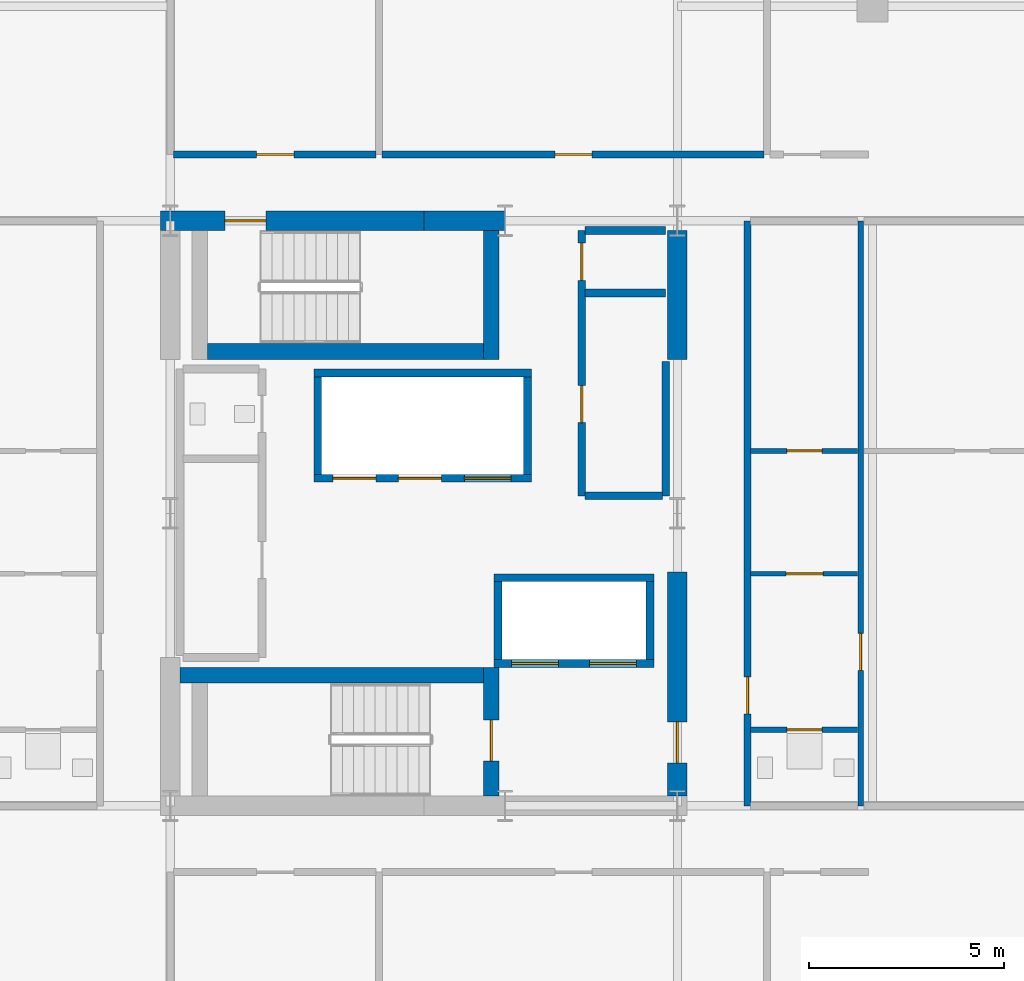
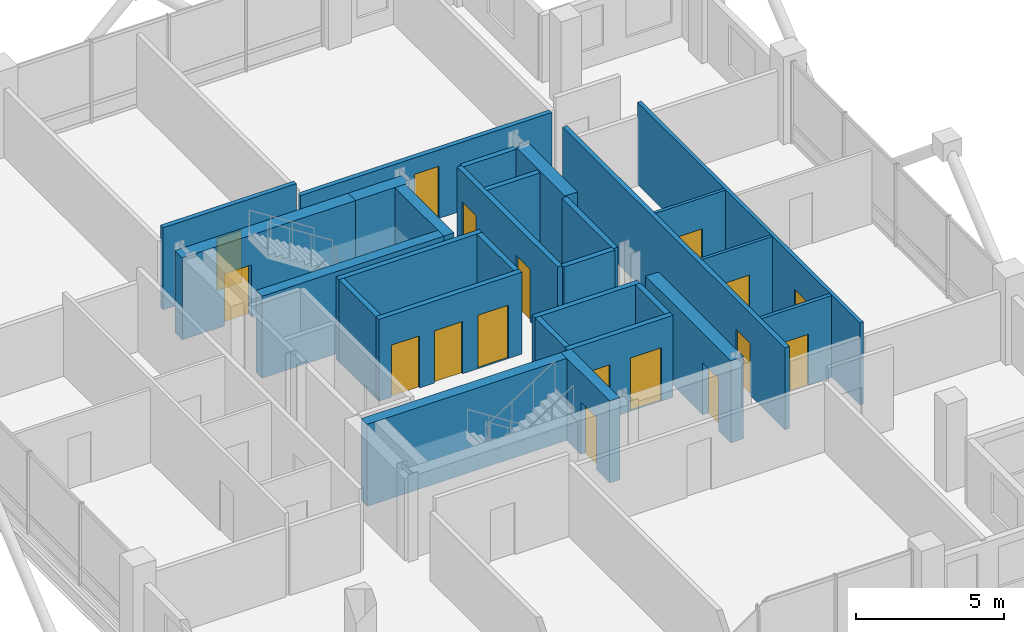
# One storey, part 19 of 23: 28 walls, 17 doors, 17 openings.
"""IFC4 building model written with IfcOpenShell, lengths in metres."""

from ifc_helpers import new_model, si_unit, direction, frame, frame_2d, origin, place, context, subcontext, project, spatial, rectangle, extrude, material, layer, layer_set, type_object, element, fill, save


model = new_model("IFC4")

# Units and contexts
model_context = context("Model", 3, precision=1e-05, world=origin(), true_north=direction((0.0, 1.0)))
body_context = subcontext(model_context, "Body", "Model", "MODEL_VIEW")
ifc_project = project(units=[si_unit("LENGTHUNIT", "METRE"), si_unit("AREAUNIT", "SQUARE_METRE"), si_unit("VOLUMEUNIT", "CUBIC_METRE"), si_unit("PLANEANGLEUNIT", "RADIAN"), si_unit("MASSUNIT", "GRAM", prefix="KILO")], contexts=[model_context])

# Site, building, storey
site_placement = place(None, origin())
site = spatial("IfcSite", under=ifc_project, at=site_placement, CompositionType="ELEMENT")
building_placement = place(site_placement, origin())
building = spatial("IfcBuilding", under=site, at=building_placement, Name="Barlavira Tower and Art Museum", CompositionType="ELEMENT")
storey_placement = place(building_placement, frame((0.0, 0.0, 290.699951171875)))
storey = spatial("IfcBuildingStorey", under=building, at=storey_placement, Name="L76", CompositionType="ELEMENT", Elevation=290.699951171875)

# Wall, opening, door
ifc_material_1 = material(Name="Gypsum acoustic stud partition", Category="gypsum")
ifc_layer_1 = layer(ifc_material_1, 0.1201171875, Name="Gypsum acoustic stud partition")
ifc_layer_set_1 = layer_set([ifc_layer_1], Name="Gypsum acoustic stud partition")
wall_type_1 = type_object("IfcWallType", Name="Apartment Internal Acoustic Partition 120", PredefinedType="PARTITIONING", material=ifc_layer_set_1)
wall_1_placement = place(storey_placement, frame((8.3798828125, -1.550048828125, 0.0), z_axis=(0.0, 0.0, 1.0), x_axis=(1.0, 0.0, 0.0)))
wall_1 = element("IfcWall", 1, at=wall_1_placement, inside=storey, type_object=wall_type_1, Name="L76 Partition Wall 26", PredefinedType="PARTITIONING", context=body_context, shape_type="SweptSolid", body=[
    extrude(rectangle(XDim=2.740234375, YDim=0.1201171875, at=frame_2d((1.3701171875, 0.0))), origin(), (0.0, 0.0, 1.0), 3.380126953125),
])
opening_1_placement = place(wall_1_placement, frame((0.905029296875, 0.0, 0.0)))
opening_1 = element("IfcOpeningElement", 2, at=opening_1_placement, cuts=wall_1, Name="Opening D-02", PredefinedType="OPENING", context=body_context, shape_type="SweptSolid", body=[
    extrude(rectangle(XDim=0.949951171875, YDim=2.10009765625, at=frame_2d((0.47509765625, 1.050048828125))), frame((0.0, 0.070068359375, 0.0), z_axis=(0.0, -1.0, 0.0), x_axis=(1.0, 0.0, 0.0)), (0.0, 0.0, 1.0), 0.14013671875),
])
ifc_material_2 = material(Name="Engineered coastal hardwood", Category="wood")
door_type_1 = type_object("IfcDoorType", Name="Living and Salon Glazed-Leaf Door 950x2100", OperationType="NOTDEFINED", PredefinedType="DOOR", material=ifc_material_2)
door_1_placement = place(opening_1_placement, origin())
door_1 = element("IfcDoor", 3, at=door_1_placement, inside=storey, type_object=door_type_1, Name="Apartment E1 Kitchen Door", OperationType="SINGLE_SWING_RIGHT", OverallHeight=2.10009765625, OverallWidth=0.949951171875, PredefinedType="DOOR", context=body_context, shape_type="SweptSolid", body=[
    extrude(rectangle(XDim=0.949951171875, YDim=2.10009765625, at=frame_2d((0.47509765625, 1.050048828125))), frame((0.0, 0.02490234375, 0.0), z_axis=(0.0, -1.0, 0.0), x_axis=(1.0, 0.0, 0.0)), (0.0, 0.0, 1.0), 0.050048828125),
])
fill(opening_1, door_1)

wall_2_placement = place(storey_placement, frame((8.3798828125, 1.60009765625, 0.0), z_axis=(0.0, 0.0, 1.0), x_axis=(1.0, 0.0, 0.0)))
wall_2 = element("IfcWall", 4, at=wall_2_placement, inside=storey, type_object=wall_type_1, Name="L76 Partition Wall 31", PredefinedType="PARTITIONING", context=body_context, shape_type="SweptSolid", body=[
    extrude(rectangle(XDim=2.740234375, YDim=0.1201171875, at=frame_2d((1.3701171875, 0.0))), origin(), (0.0, 0.0, 1.0), 3.380126953125),
])
opening_2_placement = place(wall_2_placement, frame((0.929931640625, 0.0, 0.0)))
opening_2 = element("IfcOpeningElement", 5, at=opening_2_placement, cuts=wall_2, Name="Opening D-01", PredefinedType="OPENING", context=body_context, shape_type="SweptSolid", body=[
    extrude(rectangle(XDim=0.89990234375, YDim=2.10009765625, at=frame_2d((0.449951171875, 1.050048828125))), frame((0.0, 0.070068359375, 0.0), z_axis=(0.0, -1.0, 0.0), x_axis=(1.0, 0.0, 0.0)), (0.0, 0.0, 1.0), 0.14013671875),
])
door_type_2 = type_object("IfcDoorType", Name="Internal Bedroom Timber Flush Door 900x2100", OperationType="NOTDEFINED", PredefinedType="DOOR", material=ifc_material_2)
door_2_placement = place(opening_2_placement, origin())
door_2 = element("IfcDoor", 6, at=door_2_placement, inside=storey, type_object=door_type_2, Name="Apartment E1 Walk-In Dressing Room Door", OperationType="SINGLE_SWING_LEFT", OverallHeight=2.10009765625, OverallWidth=0.89990234375, PredefinedType="DOOR", context=body_context, shape_type="SweptSolid", body=[
    extrude(rectangle(XDim=0.89990234375, YDim=2.10009765625, at=frame_2d((0.449951171875, 1.050048828125))), frame((0.0, 0.02490234375, 0.0), z_axis=(0.0, -1.0, 0.0), x_axis=(1.0, 0.0, 0.0)), (0.0, 0.0, 1.0), 0.050048828125),
])
fill(opening_2, door_2)

ifc_material_3 = material(Name="Concrete C60", Category="concrete")
ifc_layer_2 = layer(ifc_material_3, 0.5, Name="Concrete C60")
ifc_layer_set_2 = layer_set([ifc_layer_2], Name="Concrete C60")
wall_type_2 = type_object("IfcWallType", Name="Core Structural Shear Wall 500 Concrete C60", PredefinedType="SHEAR", material=ifc_layer_set_2)
wall_3_placement = place(storey_placement, frame((-6.75, 7.5, 0.0), z_axis=(0.0, 0.0, 1.0), x_axis=(1.0, 0.0, 0.0)))
wall_3 = element("IfcWall", 7, at=wall_3_placement, inside=storey, type_object=wall_type_2, Name="L76 Core Shear Wall CS-NW", PredefinedType="SHEAR", context=body_context, shape_type="SweptSolid", body=[
    extrude(rectangle(XDim=6.75, YDim=0.5, at=frame_2d((3.375, 0.0))), origin(), (0.0, 0.0, 1.0), 3.380126953125),
])
opening_3_placement = place(wall_3_placement, frame((1.64990234375, 0.0, 0.0)))
opening_3 = element("IfcOpeningElement", 8, at=opening_3_placement, cuts=wall_3, Name="Opening FD-90", PredefinedType="OPENING", context=body_context, shape_type="SweptSolid", body=[
    extrude(rectangle(XDim=1.050048828125, YDim=2.14990234375, at=frame_2d((0.52490234375, 1.074951171875))), frame((0.0, 0.260009765625, 0.0), z_axis=(0.0, -1.0, 0.0), x_axis=(1.0, 0.0, 0.0)), (0.0, 0.0, 1.0), 0.52001953125),
])
ifc_material_4 = material(Name="Brushed stainless steel", Category="steel")
door_type_3 = type_object("IfcDoorType", Name="Stair and Refuge Fire Door 1050x2150 FD90S", OperationType="NOTDEFINED", PredefinedType="DOOR", material=ifc_material_4)
door_3_placement = place(opening_3_placement, origin())
door_3 = element("IfcDoor", 9, at=door_3_placement, inside=storey, type_object=door_type_3, Name="L76 Stair ST-T2 Fire Door", OperationType="SINGLE_SWING_LEFT", OverallHeight=2.14990234375, OverallWidth=1.050048828125, PredefinedType="DOOR", context=body_context, shape_type="SweptSolid", body=[
    extrude(rectangle(XDim=1.050048828125, YDim=2.14990234375, at=frame_2d((0.52490234375, 1.074951171875))), frame((0.0, 0.02490234375, 0.0), z_axis=(0.0, -1.0, 0.0), x_axis=(1.0, 0.0, 0.0)), (0.0, 0.0, 1.0), 0.050048828125),
])
fill(opening_3, door_3)

# Wall
wall_4_placement = place(storey_placement, frame((0.0, 7.5, 0.0), z_axis=(0.0, 0.0, 1.0), x_axis=(1.0, 0.0, 0.0)))
element("IfcWall", 10, at=wall_4_placement, inside=storey, type_object=wall_type_2, Name="L76 Core Shear Wall CS-EN", PredefinedType="SHEAR", context=body_context, shape_type="SweptSolid", body=[
    extrude(rectangle(XDim=2.080078125, YDim=0.5, at=frame_2d((1.0400390625, 0.0))), origin(), (0.0, 0.0, 1.0), 3.380126953125),
])

# Wall, opening, door
wall_5_placement = place(storey_placement, frame((6.5, -7.25, 0.0), z_axis=(0.0, 0.0, 1.0), x_axis=(0.0, 1.0, 0.0)))
wall_5 = element("IfcWall", 11, at=wall_5_placement, inside=storey, type_object=wall_type_2, Name="L76 Core Shear Wall CS-E1", PredefinedType="SHEAR", context=body_context, shape_type="SweptSolid", body=[
    extrude(rectangle(XDim=5.75, YDim=0.5, at=frame_2d((2.875, 0.0))), origin(), (0.0, 0.0, 1.0), 3.380126953125),
])
opening_4_placement = place(wall_5_placement, frame((0.85009765625, 0.0, 0.0)))
opening_4 = element("IfcOpeningElement", 12, at=opening_4_placement, cuts=wall_5, Name="Opening FD-90", PredefinedType="OPENING", context=body_context, shape_type="SweptSolid", body=[
    extrude(rectangle(XDim=1.050048828125, YDim=2.14990234375, at=frame_2d((0.52490234375, 1.074951171875))), frame((0.0, 0.260009765625, 0.0), z_axis=(0.0, -1.0, 0.0), x_axis=(1.0, 0.0, 0.0)), (0.0, 0.0, 1.0), 0.52001953125),
])
door_4_placement = place(opening_4_placement, origin())
door_4 = element("IfcDoor", 13, at=door_4_placement, inside=storey, type_object=door_type_3, Name="L76 Firefighting Lobby Entry Fire Door", OperationType="SINGLE_SWING_LEFT", OverallHeight=2.14990234375, OverallWidth=1.050048828125, PredefinedType="DOOR", context=body_context, shape_type="SweptSolid", body=[
    extrude(rectangle(XDim=1.050048828125, YDim=2.14990234375, at=frame_2d((0.52490234375, 1.074951171875))), frame((0.0, 0.02490234375, 0.0), z_axis=(0.0, -1.0, 0.0), x_axis=(1.0, 0.0, 0.0)), (0.0, 0.0, 1.0), 0.050048828125),
])
fill(opening_4, door_4)

# Wall
wall_6_placement = place(storey_placement, frame((6.5, 3.949951171875, 0.0), z_axis=(0.0, 0.0, 1.0), x_axis=(0.0, 1.0, 0.0)))
element("IfcWall", 14, at=wall_6_placement, inside=storey, type_object=wall_type_2, Name="L76 Core Shear Wall CS-E2", PredefinedType="SHEAR", context=body_context, shape_type="SweptSolid", body=[
    extrude(rectangle(XDim=3.300048828125, YDim=0.5, at=frame_2d((1.64990234375, 0.0))), origin(), (0.0, 0.0, 1.0), 3.380126953125),
])

# Wall, openings, doors
ifc_material_5 = material(Name="Autoclaved aerated concrete masonry", Category="masonry")
ifc_layer_3 = layer(ifc_material_5, 0.199951171875, Name="Autoclaved aerated concrete masonry")
ifc_layer_set_3 = layer_set([ifc_layer_3], Name="Autoclaved aerated concrete masonry")
wall_type_3 = type_object("IfcWallType", Name="Fire Compartment and Shaft Wall 200", PredefinedType="SOLIDWALL", material=ifc_layer_set_3)
wall_7_placement = place(storey_placement, frame((-2.820068359375, 0.89990234375, 0.0), z_axis=(0.0, 0.0, 1.0), x_axis=(1.0, 0.0, 0.0)))
wall_7 = element("IfcWall", 15, at=wall_7_placement, inside=storey, type_object=wall_type_3, Name="L76 High-Rise & Service Lift Front Wall", PredefinedType="SOLIDWALL", context=body_context, shape_type="SweptSolid", body=[
    extrude(rectangle(XDim=5.580078125, YDim=0.199951171875, at=frame_2d((2.7900390625, 0.0))), origin(), (0.0, 0.0, 1.0), 3.380126953125),
])
opening_5_placement = place(wall_7_placement, frame((0.489990234375, 0.0, 0.0)))
opening_5 = element("IfcOpeningElement", 16, at=opening_5_placement, cuts=wall_7, Name="Opening LD-P", PredefinedType="OPENING", context=body_context, shape_type="SweptSolid", body=[
    extrude(rectangle(XDim=1.10009765625, YDim=2.14990234375, at=frame_2d((0.550048828125, 1.074951171875))), frame((0.0, 0.10986328125, 0.0), z_axis=(0.0, -1.0, 0.0), x_axis=(1.0, 0.0, 0.0)), (0.0, 0.0, 1.0), 0.219970703125),
])
opening_6_placement = place(wall_7_placement, frame((2.169921875, 0.0, 0.0)))
opening_6 = element("IfcOpeningElement", 17, at=opening_6_placement, cuts=wall_7, Name="Opening LD-P", PredefinedType="OPENING", context=body_context, shape_type="SweptSolid", body=[
    extrude(rectangle(XDim=1.10009765625, YDim=2.14990234375, at=frame_2d((0.550048828125, 1.074951171875))), frame((0.0, 0.10986328125, 0.0), z_axis=(0.0, -1.0, 0.0), x_axis=(1.0, 0.0, 0.0)), (0.0, 0.0, 1.0), 0.219970703125),
])
opening_7_placement = place(wall_7_placement, frame((3.860107421875, 0.0, 0.0)))
opening_7 = element("IfcOpeningElement", 18, at=opening_7_placement, cuts=wall_7, Name="Opening LD-F", PredefinedType="OPENING", context=body_context, shape_type="SweptSolid", body=[
    extrude(rectangle(XDim=1.199951171875, YDim=2.199951171875, at=frame_2d((0.60009765625, 1.10009765625))), frame((0.0, 0.10986328125, 0.0), z_axis=(0.0, -1.0, 0.0), x_axis=(1.0, 0.0, 0.0)), (0.0, 0.0, 1.0), 0.219970703125),
])
door_type_4 = type_object("IfcDoorType", Name="Firefighting and Service Lift Sliding Door 1200x2200 FD120", OperationType="NOTDEFINED", PredefinedType="DOOR", material=ifc_material_4)
door_5_placement = place(opening_7_placement, origin())
door_5 = element("IfcDoor", 19, at=door_5_placement, inside=storey, type_object=door_type_4, Name="L76 Stretcher Service Lift SL1 Sliding Door", OperationType="DOUBLE_DOOR_SLIDING", OverallHeight=2.199951171875, OverallWidth=1.199951171875, PredefinedType="DOOR", context=body_context, shape_type="SweptSolid", body=[
    extrude(rectangle(XDim=1.199951171875, YDim=2.199951171875, at=frame_2d((0.60009765625, 1.10009765625))), frame((0.0, 0.02490234375, 0.0), z_axis=(0.0, -1.0, 0.0), x_axis=(1.0, 0.0, 0.0)), (0.0, 0.0, 1.0), 0.050048828125),
])
fill(opening_7, door_5)
door_type_5 = type_object("IfcDoorType", Name="Passenger Lift Sliding Landing Door 1100x2150 FD60", OperationType="NOTDEFINED", PredefinedType="DOOR", material=ifc_material_4)
door_6_placement = place(opening_5_placement, origin())
door_6 = element("IfcDoor", 20, at=door_6_placement, inside=storey, type_object=door_type_5, Name="L76 Lift PH1 Sliding Landing Door", OperationType="DOUBLE_DOOR_SLIDING", OverallHeight=2.14990234375, OverallWidth=1.10009765625, PredefinedType="DOOR", context=body_context, shape_type="SweptSolid", body=[
    extrude(rectangle(XDim=1.10009765625, YDim=2.14990234375, at=frame_2d((0.550048828125, 1.074951171875))), frame((0.0, 0.02490234375, 0.0), z_axis=(0.0, -1.0, 0.0), x_axis=(1.0, 0.0, 0.0)), (0.0, 0.0, 1.0), 0.050048828125),
])
fill(opening_5, door_6)
door_7_placement = place(opening_6_placement, origin())
door_7 = element("IfcDoor", 21, at=door_7_placement, inside=storey, type_object=door_type_5, Name="L76 Lift PH2 Sliding Landing Door", OperationType="DOUBLE_DOOR_SLIDING", OverallHeight=2.14990234375, OverallWidth=1.10009765625, PredefinedType="DOOR", context=body_context, shape_type="SweptSolid", body=[
    extrude(rectangle(XDim=1.10009765625, YDim=2.14990234375, at=frame_2d((0.550048828125, 1.074951171875))), frame((0.0, 0.02490234375, 0.0), z_axis=(0.0, -1.0, 0.0), x_axis=(1.0, 0.0, 0.0)), (0.0, 0.0, 1.0), 0.050048828125),
])
fill(opening_6, door_7)

# Walls
wall_8_placement = place(storey_placement, frame((-2.820068359375, 3.60009765625, 0.0), z_axis=(0.0, 0.0, 1.0), x_axis=(1.0, 0.0, 0.0)))
element("IfcWall", 22, at=wall_8_placement, inside=storey, type_object=wall_type_3, Name="L76 High-Rise & Service Lift Back Wall", PredefinedType="SOLIDWALL", context=body_context, shape_type="SweptSolid", body=[
    extrude(rectangle(XDim=5.580078125, YDim=0.199951171875, at=frame_2d((2.7900390625, 0.0))), origin(), (0.0, 0.0, 1.0), 3.380126953125),
])
for number, where, z_axis, x_axis, name in (
    (23, (-2.719970703125, 1.0, 0.0), (0.0, 0.0, 1.0), (0.0, 1.0, 0.0), "L76 High-Rise & Service Lift West Wall"),
    (24, (2.659912109375, 1.0, 0.0), (0.0, 0.0, 1.0), (0.0, 1.0, 0.0), "L76 High-Rise & Service Lift East Wall"),
):
    element("IfcWall", number, at=place(storey_placement, frame(where, z_axis=z_axis, x_axis=x_axis)), inside=storey, type_object=wall_type_3, Name=name, PredefinedType="SOLIDWALL", context=body_context, shape_type="SweptSolid", body=[
        extrude(rectangle(XDim=2.5, YDim=0.199951171875, at=frame_2d((1.25, 0.0))), origin(), (0.0, 0.0, 1.0), 3.380126953125),
    ])

# Wall, openings, doors
wall_9_placement = place(storey_placement, frame((1.800048828125, -3.85009765625, 0.0), z_axis=(0.0, 0.0, 1.0), x_axis=(1.0, 0.0, 0.0)))
wall_9 = element("IfcWall", 25, at=wall_9_placement, inside=storey, type_object=wall_type_3, Name="L76 Firefighting Lift Front Shaft Wall", PredefinedType="SOLIDWALL", context=body_context, shape_type="SweptSolid", body=[
    extrude(rectangle(XDim=4.099853515625, YDim=0.199951171875, at=frame_2d((2.0498046875, 0.0))), origin(), (0.0, 0.0, 1.0), 3.380126953125),
])
opening_8_placement = place(wall_9_placement, frame((0.449951171875, 0.0, 0.0)))
opening_8 = element("IfcOpeningElement", 26, at=opening_8_placement, cuts=wall_9, Name="Opening LD-F", PredefinedType="OPENING", context=body_context, shape_type="SweptSolid", body=[
    extrude(rectangle(XDim=1.199951171875, YDim=2.199951171875, at=frame_2d((0.60009765625, 1.10009765625))), frame((0.0, 0.10986328125, 0.0), z_axis=(0.0, -1.0, 0.0), x_axis=(1.0, 0.0, 0.0)), (0.0, 0.0, 1.0), 0.219970703125),
])
opening_9_placement = place(wall_9_placement, frame((2.449951171875, 0.0, 0.0)))
opening_9 = element("IfcOpeningElement", 27, at=opening_9_placement, cuts=wall_9, Name="Opening LD-F", PredefinedType="OPENING", context=body_context, shape_type="SweptSolid", body=[
    extrude(rectangle(XDim=1.199951171875, YDim=2.199951171875, at=frame_2d((0.60009765625, 1.10009765625))), frame((0.0, 0.10986328125, 0.0), z_axis=(0.0, -1.0, 0.0), x_axis=(1.0, 0.0, 0.0)), (0.0, 0.0, 1.0), 0.219970703125),
])
door_8_placement = place(opening_8_placement, origin())
door_8 = element("IfcDoor", 28, at=door_8_placement, inside=storey, type_object=door_type_4, Name="L76 Firefighting Lift FF1 Sliding Door", OperationType="DOUBLE_DOOR_SLIDING", OverallHeight=2.199951171875, OverallWidth=1.199951171875, PredefinedType="DOOR", context=body_context, shape_type="SweptSolid", body=[
    extrude(rectangle(XDim=1.199951171875, YDim=2.199951171875, at=frame_2d((0.60009765625, 1.10009765625))), frame((0.0, 0.02490234375, 0.0), z_axis=(0.0, -1.0, 0.0), x_axis=(1.0, 0.0, 0.0)), (0.0, 0.0, 1.0), 0.050048828125),
])
fill(opening_8, door_8)
door_9_placement = place(opening_9_placement, origin())
door_9 = element("IfcDoor", 29, at=door_9_placement, inside=storey, type_object=door_type_4, Name="L76 Firefighting Lift FF2 Sliding Door", OperationType="DOUBLE_DOOR_SLIDING", OverallHeight=2.199951171875, OverallWidth=1.199951171875, PredefinedType="DOOR", context=body_context, shape_type="SweptSolid", body=[
    extrude(rectangle(XDim=1.199951171875, YDim=2.199951171875, at=frame_2d((0.60009765625, 1.10009765625))), frame((0.0, 0.02490234375, 0.0), z_axis=(0.0, -1.0, 0.0), x_axis=(1.0, 0.0, 0.0)), (0.0, 0.0, 1.0), 0.050048828125),
])
fill(opening_9, door_9)

# Walls
wall_10_placement = place(storey_placement, frame((1.800048828125, -1.64990234375, 0.0), z_axis=(0.0, 0.0, 1.0), x_axis=(1.0, 0.0, 0.0)))
element("IfcWall", 30, at=wall_10_placement, inside=storey, type_object=wall_type_3, Name="L76 Firefighting Lift Back Shaft Wall", PredefinedType="SOLIDWALL", context=body_context, shape_type="SweptSolid", body=[
    extrude(rectangle(XDim=4.099853515625, YDim=0.199951171875, at=frame_2d((2.0498046875, 0.0))), origin(), (0.0, 0.0, 1.0), 3.380126953125),
])
for number, where, z_axis, x_axis, name in (
    (31, (1.89990234375, -3.75, 0.0), (0.0, 0.0, 1.0), (0.0, 1.0, 0.0), "L76 Firefighting Lift West Shaft Wall"),
    (32, (5.800048828125, -3.75, 0.0), (0.0, 0.0, 1.0), (0.0, 1.0, 0.0), "L76 Firefighting Lift East Shaft Wall"),
):
    element("IfcWall", number, at=place(storey_placement, frame(where, z_axis=z_axis, x_axis=x_axis)), inside=storey, type_object=wall_type_3, Name=name, PredefinedType="SOLIDWALL", context=body_context, shape_type="SweptSolid", body=[
        extrude(rectangle(XDim=2.0, YDim=0.199951171875, at=frame_2d((1.0, 0.0))), origin(), (0.0, 0.0, 1.0), 3.380126953125),
    ])

# Wall, openings, doors
wall_11_placement = place(storey_placement, frame((4.050048828125, 0.449951171875, 0.0), z_axis=(0.0, 0.0, 1.0), x_axis=(0.0, 1.0, 0.0)))
wall_11 = element("IfcWall", 33, at=wall_11_placement, inside=storey, type_object=wall_type_3, Name="L76 Partition Wall 9", PredefinedType="SOLIDWALL", context=body_context, shape_type="SweptSolid", body=[
    extrude(rectangle(XDim=6.800048828125, YDim=0.199951171875, at=frame_2d((3.39990234375, 0.0))), origin(), (0.0, 0.0, 1.0), 3.380126953125),
])
opening_10_placement = place(wall_11_placement, frame((1.875, 0.0, 0.0)))
opening_10 = element("IfcOpeningElement", 34, at=opening_10_placement, cuts=wall_11, Name="Opening FD-60", PredefinedType="OPENING", context=body_context, shape_type="SweptSolid", body=[
    extrude(rectangle(XDim=0.949951171875, YDim=2.14990234375, at=frame_2d((0.47509765625, 1.074951171875))), frame((0.0, 0.10986328125, 0.0), z_axis=(0.0, -1.0, 0.0), x_axis=(1.0, 0.0, 0.0)), (0.0, 0.0, 1.0), 0.219970703125),
])
opening_11_placement = place(wall_11_placement, frame((5.52490234375, 0.0, 0.0)))
opening_11 = element("IfcOpeningElement", 35, at=opening_11_placement, cuts=wall_11, Name="Opening FD-60", PredefinedType="OPENING", context=body_context, shape_type="SweptSolid", body=[
    extrude(rectangle(XDim=0.949951171875, YDim=2.14990234375, at=frame_2d((0.47509765625, 1.074951171875))), frame((0.0, 0.10986328125, 0.0), z_axis=(0.0, -1.0, 0.0), x_axis=(1.0, 0.0, 0.0)), (0.0, 0.0, 1.0), 0.219970703125),
])
door_type_6 = type_object("IfcDoorType", Name="Apartment Entrance and Riser Fire Door 950x2150 FD60S", OperationType="NOTDEFINED", PredefinedType="DOOR", material=ifc_material_4)
door_10_placement = place(opening_10_placement, origin())
door_10 = element("IfcDoor", 36, at=door_10_placement, inside=storey, type_object=door_type_6, Name="Reclaimed Upper Core Study Salon Door", OperationType="SINGLE_SWING_RIGHT", OverallHeight=2.14990234375, OverallWidth=0.949951171875, PredefinedType="DOOR", context=body_context, shape_type="SweptSolid", body=[
    extrude(rectangle(XDim=0.949951171875, YDim=2.14990234375, at=frame_2d((0.47509765625, 1.074951171875))), frame((0.0, 0.02490234375, 0.0), z_axis=(0.0, -1.0, 0.0), x_axis=(1.0, 0.0, 0.0)), (0.0, 0.0, 1.0), 0.050048828125),
])
fill(opening_10, door_10)
door_11_placement = place(opening_11_placement, origin())
door_11 = element("IfcDoor", 37, at=door_11_placement, inside=storey, type_object=door_type_6, Name="Telecom and BMS Distribution Room Door", OperationType="SINGLE_SWING_LEFT", OverallHeight=2.14990234375, OverallWidth=0.949951171875, PredefinedType="DOOR", context=body_context, shape_type="SweptSolid", body=[
    extrude(rectangle(XDim=0.949951171875, YDim=2.14990234375, at=frame_2d((0.47509765625, 1.074951171875))), frame((0.0, 0.02490234375, 0.0), z_axis=(0.0, -1.0, 0.0), x_axis=(1.0, 0.0, 0.0)), (0.0, 0.0, 1.0), 0.050048828125),
])
fill(opening_11, door_11)

# Walls
wall_12_placement = place(storey_placement, frame((6.199951171875, 0.449951171875, 0.0), z_axis=(0.0, 0.0, 1.0), x_axis=(0.0, 1.0, 0.0)))
element("IfcWall", 38, at=wall_12_placement, inside=storey, type_object=wall_type_3, Name="L76 Partition Wall 10", PredefinedType="SOLIDWALL", context=body_context, shape_type="SweptSolid", body=[
    extrude(rectangle(XDim=3.43994140625, YDim=0.199951171875, at=frame_2d((1.719970703125, 0.0))), origin(), (0.0, 0.0, 1.0), 3.380126953125),
])
wall_13_placement = place(storey_placement, frame((4.1298828125, 0.449951171875, 0.0), z_axis=(0.0, 0.0, 1.0), x_axis=(1.0, 0.0, 0.0)))
element("IfcWall", 39, at=wall_13_placement, inside=storey, type_object=wall_type_3, Name="L76 Partition Wall 27", PredefinedType="SOLIDWALL", context=body_context, shape_type="SweptSolid", body=[
    extrude(rectangle(XDim=1.990234375, YDim=0.199951171875, at=frame_2d((0.9951171875, 0.0))), origin(), (0.0, 0.0, 1.0), 3.380126953125),
])
for number, where, z_axis, x_axis, name in (
    (40, (4.1298828125, 5.64990234375, 0.0), (0.0, 0.0, 1.0), (1.0, 0.0, 0.0), "L76 Partition Wall 34"),
    (41, (4.1298828125, 7.25, 0.0), (0.0, 0.0, 1.0), (1.0, 0.0, 0.0), "L76 Partition Wall 35"),
):
    element("IfcWall", number, at=place(storey_placement, frame(where, z_axis=z_axis, x_axis=x_axis)), inside=storey, type_object=wall_type_3, Name=name, PredefinedType="SOLIDWALL", context=body_context, shape_type="SweptSolid", body=[
        extrude(rectangle(XDim=2.070068359375, YDim=0.199951171875, at=frame_2d((1.03515625, 0.0))), origin(), (0.0, 0.0, 1.0), 3.380126953125),
    ])

# Wall, opening, door
ifc_layer_4 = layer(ifc_material_1, 0.179931640625, Name="Gypsum acoustic stud partition")
ifc_layer_set_4 = layer_set([ifc_layer_4], Name="Gypsum acoustic stud partition")
wall_type_4 = type_object("IfcWallType", Name="Inter-Tenancy Party Partition Wall 180", PredefinedType="PARTITIONING", material=ifc_layer_set_4)
wall_14_placement = place(storey_placement, frame((8.300048828125, -7.5, 0.0), z_axis=(0.0, 0.0, 1.0), x_axis=(0.0, 1.0, 0.0)))
wall_14 = element("IfcWall", 42, at=wall_14_placement, inside=storey, type_object=wall_type_4, Name="L76 Partition Wall 11", PredefinedType="PARTITIONING", context=body_context, shape_type="SweptSolid", body=[
    extrude(rectangle(XDim=15.0, YDim=0.179931640625, at=frame_2d((7.5, 0.0))), origin(), (0.0, 0.0, 1.0), 3.380126953125),
])
opening_12_placement = place(wall_14_placement, frame((2.35498046875, 0.0, 0.0)))
opening_12 = element("IfcOpeningElement", 43, at=opening_12_placement, cuts=wall_14, Name="Opening FD-60", PredefinedType="OPENING", context=body_context, shape_type="SweptSolid", body=[
    extrude(rectangle(XDim=0.949951171875, YDim=2.14990234375, at=frame_2d((0.47509765625, 1.074951171875))), frame((0.0, 0.10009765625, 0.0), z_axis=(0.0, -1.0, 0.0), x_axis=(1.0, 0.0, 0.0)), (0.0, 0.0, 1.0), 0.199951171875),
])
door_12_placement = place(opening_12_placement, origin())
door_12 = element("IfcDoor", 44, at=door_12_placement, inside=storey, type_object=door_type_6, Name="Apartment Entrance Hall E1 Door", OperationType="SINGLE_SWING_LEFT", OverallHeight=2.14990234375, OverallWidth=0.949951171875, PredefinedType="DOOR", context=body_context, shape_type="SweptSolid", body=[
    extrude(rectangle(XDim=0.949951171875, YDim=2.14990234375, at=frame_2d((0.47509765625, 1.074951171875))), frame((0.0, 0.02490234375, 0.0), z_axis=(0.0, -1.0, 0.0), x_axis=(1.0, 0.0, 0.0)), (0.0, 0.0, 1.0), 0.050048828125),
])
fill(opening_12, door_12)

wall_15_placement = place(storey_placement, frame((-6.419921875, 9.199951171875, 0.0), z_axis=(0.0, 0.0, 1.0), x_axis=(1.0, 0.0, 0.0)))
wall_15 = element("IfcWall", 45, at=wall_15_placement, inside=storey, type_object=wall_type_4, Name="L76 Partition Wall 40", PredefinedType="PARTITIONING", context=body_context, shape_type="SweptSolid", body=[
    extrude(rectangle(XDim=5.18994140625, YDim=0.179931640625, at=frame_2d((2.594970703125, 0.0))), origin(), (0.0, 0.0, 1.0), 3.380126953125),
])
opening_13_placement = place(wall_15_placement, frame((2.135009765625, 0.0, 0.0)))
opening_13 = element("IfcOpeningElement", 46, at=opening_13_placement, cuts=wall_15, Name="Opening FD-60", PredefinedType="OPENING", context=body_context, shape_type="SweptSolid", body=[
    extrude(rectangle(XDim=0.949951171875, YDim=2.14990234375, at=frame_2d((0.47509765625, 1.074951171875))), frame((0.0, 0.10009765625, 0.0), z_axis=(0.0, -1.0, 0.0), x_axis=(1.0, 0.0, 0.0)), (0.0, 0.0, 1.0), 0.199951171875),
])
door_13_placement = place(opening_13_placement, origin())
door_13 = element("IfcDoor", 47, at=door_13_placement, inside=storey, type_object=door_type_6, Name="Resident Sky Coworking Studio Door", OperationType="SINGLE_SWING_LEFT", OverallHeight=2.14990234375, OverallWidth=0.949951171875, PredefinedType="DOOR", context=body_context, shape_type="SweptSolid", body=[
    extrude(rectangle(XDim=0.949951171875, YDim=2.14990234375, at=frame_2d((0.47509765625, 1.074951171875))), frame((0.0, 0.02490234375, 0.0), z_axis=(0.0, -1.0, 0.0), x_axis=(1.0, 0.0, 0.0)), (0.0, 0.0, 1.0), 0.050048828125),
])
fill(opening_13, door_13)

wall_16_placement = place(storey_placement, frame((-1.070068359375, 9.199951171875, 0.0), z_axis=(0.0, 0.0, 1.0), x_axis=(1.0, 0.0, 0.0)))
wall_16 = element("IfcWall", 48, at=wall_16_placement, inside=storey, type_object=wall_type_4, Name="L76 Partition Wall 41", PredefinedType="PARTITIONING", context=body_context, shape_type="SweptSolid", body=[
    extrude(rectangle(XDim=9.7900390625, YDim=0.179931640625, at=frame_2d((4.89501953125, 0.0))), origin(), (0.0, 0.0, 1.0), 2.825927734375),
])
opening_14_placement = place(wall_16_placement, frame((4.43505859375, 0.0, 0.0)))
opening_14 = element("IfcOpeningElement", 49, at=opening_14_placement, cuts=wall_16, Name="Opening FD-60", PredefinedType="OPENING", context=body_context, shape_type="SweptSolid", body=[
    extrude(rectangle(XDim=0.949951171875, YDim=2.14990234375, at=frame_2d((0.47509765625, 1.074951171875))), frame((0.0, 0.10009765625, 0.0), z_axis=(0.0, -1.0, 0.0), x_axis=(1.0, 0.0, 0.0)), (0.0, 0.0, 1.0), 0.199951171875),
])
door_14_placement = place(opening_14_placement, origin())
door_14 = element("IfcDoor", 50, at=door_14_placement, inside=storey, type_object=door_type_6, Name="Atlantic Horizon Boardroom Door", OperationType="SINGLE_SWING_RIGHT", OverallHeight=2.14990234375, OverallWidth=0.949951171875, PredefinedType="DOOR", context=body_context, shape_type="SweptSolid", body=[
    extrude(rectangle(XDim=0.949951171875, YDim=2.14990234375, at=frame_2d((0.47509765625, 1.074951171875))), frame((0.0, 0.02490234375, 0.0), z_axis=(0.0, -1.0, 0.0), x_axis=(1.0, 0.0, 0.0)), (0.0, 0.0, 1.0), 0.050048828125),
])
fill(opening_14, door_14)

ifc_layer_5 = layer(ifc_material_1, 0.139892578125, Name="Gypsum acoustic stud partition")
ifc_layer_set_5 = layer_set([ifc_layer_5], Name="Gypsum acoustic stud partition")
wall_type_5 = type_object("IfcWallType", Name="Moisture-Resistant Bathroom Partition 140", PredefinedType="PARTITIONING", material=ifc_layer_set_5)
wall_17_placement = place(storey_placement, frame((11.199951171875, -7.5, 0.0), z_axis=(0.0, 0.0, 1.0), x_axis=(0.0, 1.0, 0.0)))
wall_17 = element("IfcWall", 51, at=wall_17_placement, inside=storey, type_object=wall_type_5, Name="L76 Partition Wall 14", PredefinedType="PARTITIONING", context=body_context, shape_type="SweptSolid", body=[
    extrude(rectangle(XDim=15.0, YDim=0.139892578125, at=frame_2d((7.5, 0.0))), origin(), (0.0, 0.0, 1.0), 3.380126953125),
])
opening_15_placement = place(wall_17_placement, frame((3.47509765625, 0.0, 0.0)))
opening_15 = element("IfcOpeningElement", 52, at=opening_15_placement, cuts=wall_17, Name="Opening D-02", PredefinedType="OPENING", context=body_context, shape_type="SweptSolid", body=[
    extrude(rectangle(XDim=0.949951171875, YDim=2.10009765625, at=frame_2d((0.47509765625, 1.050048828125))), frame((0.0, 0.080078125, 0.0), z_axis=(0.0, -1.0, 0.0), x_axis=(1.0, 0.0, 0.0)), (0.0, 0.0, 1.0), 0.159912109375),
])
door_15_placement = place(opening_15_placement, origin())
door_15 = element("IfcDoor", 53, at=door_15_placement, inside=storey, type_object=door_type_1, Name="Apartment E1 Living Lounge Door", OperationType="SINGLE_SWING_RIGHT", OverallHeight=2.10009765625, OverallWidth=0.949951171875, PredefinedType="DOOR", context=body_context, shape_type="SweptSolid", body=[
    extrude(rectangle(XDim=0.949951171875, YDim=2.10009765625, at=frame_2d((0.47509765625, 1.050048828125))), frame((0.0, 0.02490234375, 0.0), z_axis=(0.0, -1.0, 0.0), x_axis=(1.0, 0.0, 0.0)), (0.0, 0.0, 1.0), 0.050048828125),
])
fill(opening_15, door_15)

wall_18_placement = place(storey_placement, frame((8.3798828125, -5.550048828125, 0.0), z_axis=(0.0, 0.0, 1.0), x_axis=(1.0, 0.0, 0.0)))
wall_18 = element("IfcWall", 54, at=wall_18_placement, inside=storey, type_object=wall_type_5, Name="L76 Partition Wall 23", PredefinedType="PARTITIONING", context=body_context, shape_type="SweptSolid", body=[
    extrude(rectangle(XDim=2.740234375, YDim=0.139892578125, at=frame_2d((1.3701171875, 0.0))), origin(), (0.0, 0.0, 1.0), 3.380126953125),
])
opening_16_placement = place(wall_18_placement, frame((0.929931640625, 0.0, 0.0)))
opening_16 = element("IfcOpeningElement", 55, at=opening_16_placement, cuts=wall_18, Name="Opening D-WC", PredefinedType="OPENING", context=body_context, shape_type="SweptSolid", body=[
    extrude(rectangle(XDim=0.89990234375, YDim=2.10009765625, at=frame_2d((0.449951171875, 1.050048828125))), frame((0.0, 0.080078125, 0.0), z_axis=(0.0, -1.0, 0.0), x_axis=(1.0, 0.0, 0.0)), (0.0, 0.0, 1.0), 0.159912109375),
])
door_type_7 = type_object("IfcDoorType", Name="Accessible Bathroom Flush Door 900x2100", OperationType="NOTDEFINED", PredefinedType="DOOR", material=ifc_material_2)
door_16_placement = place(opening_16_placement, origin())
door_16 = element("IfcDoor", 56, at=door_16_placement, inside=storey, type_object=door_type_7, Name="Apartment E1 Hall Bathroom Door", OperationType="SINGLE_SWING_RIGHT", OverallHeight=2.10009765625, OverallWidth=0.89990234375, PredefinedType="DOOR", context=body_context, shape_type="SweptSolid", body=[
    extrude(rectangle(XDim=0.89990234375, YDim=2.10009765625, at=frame_2d((0.449951171875, 1.050048828125))), frame((0.0, 0.02490234375, 0.0), z_axis=(0.0, -1.0, 0.0), x_axis=(1.0, 0.0, 0.0)), (0.0, 0.0, 1.0), 0.050048828125),
])
fill(opening_16, door_16)

# Wall
ifc_material_6 = material(Name="Concrete C55", Category="concrete")
ifc_layer_6 = layer(ifc_material_6, 0.39990234375, Name="Concrete C55")
ifc_layer_set_6 = layer_set([ifc_layer_6], Name="Concrete C55")
wall_type_6 = type_object("IfcWallType", Name="Upper Core Shear Wall 400 Concrete C55", PredefinedType="SHEAR", material=ifc_layer_set_6)
wall_19_placement = place(storey_placement, frame((-6.25, -4.14990234375, 0.0), z_axis=(0.0, 0.0, 1.0), x_axis=(1.0, 0.0, 0.0)))
element("IfcWall", 57, at=wall_19_placement, inside=storey, type_object=wall_type_6, Name="L76 ST-T1 North Shaft Wall", PredefinedType="SHEAR", context=body_context, shape_type="SweptSolid", body=[
    extrude(rectangle(XDim=7.780029296875, YDim=0.39990234375, at=frame_2d((3.89013671875, 0.0))), origin(), (0.0, 0.0, 1.0), 3.380126953125),
])

# Wall, opening, door
wall_20_placement = place(storey_placement, frame((1.72998046875, -7.25, 0.0), z_axis=(0.0, 0.0, 1.0), x_axis=(0.0, 1.0, 0.0)))
wall_20 = element("IfcWall", 58, at=wall_20_placement, inside=storey, type_object=wall_type_6, Name="L76 ST-T1 East Landing Wall", PredefinedType="SHEAR", context=body_context, shape_type="SweptSolid", body=[
    extrude(rectangle(XDim=3.300048828125, YDim=0.39990234375, at=frame_2d((1.64990234375, 0.0))), origin(), (0.0, 0.0, 1.0), 3.380126953125),
])
opening_17_placement = place(wall_20_placement, frame((0.89990234375, 0.0, 0.0)))
opening_17 = element("IfcOpeningElement", 59, at=opening_17_placement, cuts=wall_20, Name="Opening FD-90", PredefinedType="OPENING", context=body_context, shape_type="SweptSolid", body=[
    extrude(rectangle(XDim=1.050048828125, YDim=2.14990234375, at=frame_2d((0.52490234375, 1.074951171875))), frame((0.0, 0.2099609375, 0.0), z_axis=(0.0, -1.0, 0.0), x_axis=(1.0, 0.0, 0.0)), (0.0, 0.0, 1.0), 0.419921875),
])
door_17_placement = place(opening_17_placement, origin())
door_17 = element("IfcDoor", 60, at=door_17_placement, inside=storey, type_object=door_type_3, Name="L76 Stair ST-T1 Fire Door", OperationType="SINGLE_SWING_RIGHT", OverallHeight=2.14990234375, OverallWidth=1.050048828125, PredefinedType="DOOR", context=body_context, shape_type="SweptSolid", body=[
    extrude(rectangle(XDim=1.050048828125, YDim=2.14990234375, at=frame_2d((0.52490234375, 1.074951171875))), frame((0.0, 0.02490234375, 0.0), z_axis=(0.0, -1.0, 0.0), x_axis=(1.0, 0.0, 0.0)), (0.0, 0.0, 1.0), 0.050048828125),
])
fill(opening_17, door_17)

# Walls
wall_21_placement = place(storey_placement, frame((-5.550048828125, 4.14990234375, 0.0), z_axis=(0.0, 0.0, 1.0), x_axis=(1.0, 0.0, 0.0)))
element("IfcWall", 61, at=wall_21_placement, inside=storey, type_object=wall_type_6, Name="L76 ST-T2 South Shaft Wall", PredefinedType="SHEAR", context=body_context, shape_type="SweptSolid", body=[
    extrude(rectangle(XDim=7.080078125, YDim=0.39990234375, at=frame_2d((3.5400390625, 0.0))), origin(), (0.0, 0.0, 1.0), 3.380126953125),
])
wall_22_placement = place(storey_placement, frame((1.72998046875, 3.949951171875, 0.0), z_axis=(0.0, 0.0, 1.0), x_axis=(0.0, 1.0, 0.0)))
element("IfcWall", 62, at=wall_22_placement, inside=storey, type_object=wall_type_6, Name="L76 ST-T2 East Half-Landing Wall", PredefinedType="SHEAR", context=body_context, shape_type="SweptSolid", body=[
    extrude(rectangle(XDim=3.300048828125, YDim=0.39990234375, at=frame_2d((1.64990234375, 0.0))), origin(), (0.0, 0.0, 1.0), 3.380126953125),
])

save(model, "model.ifc")
